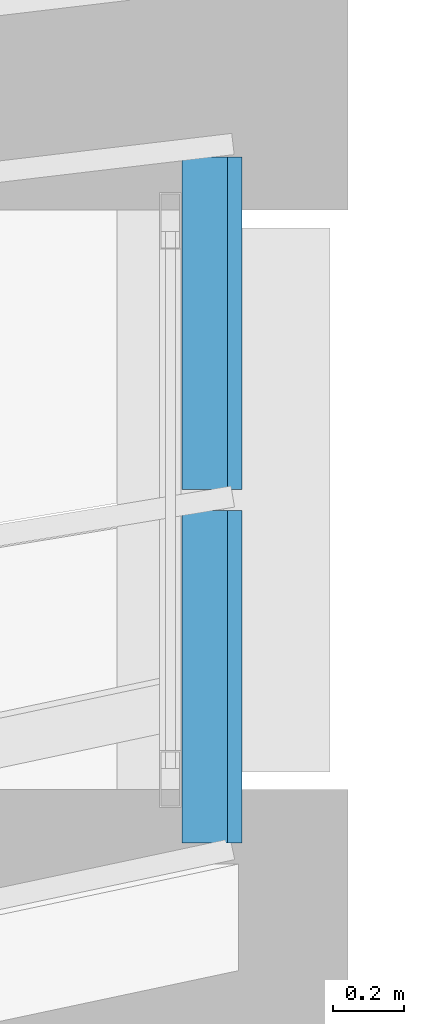
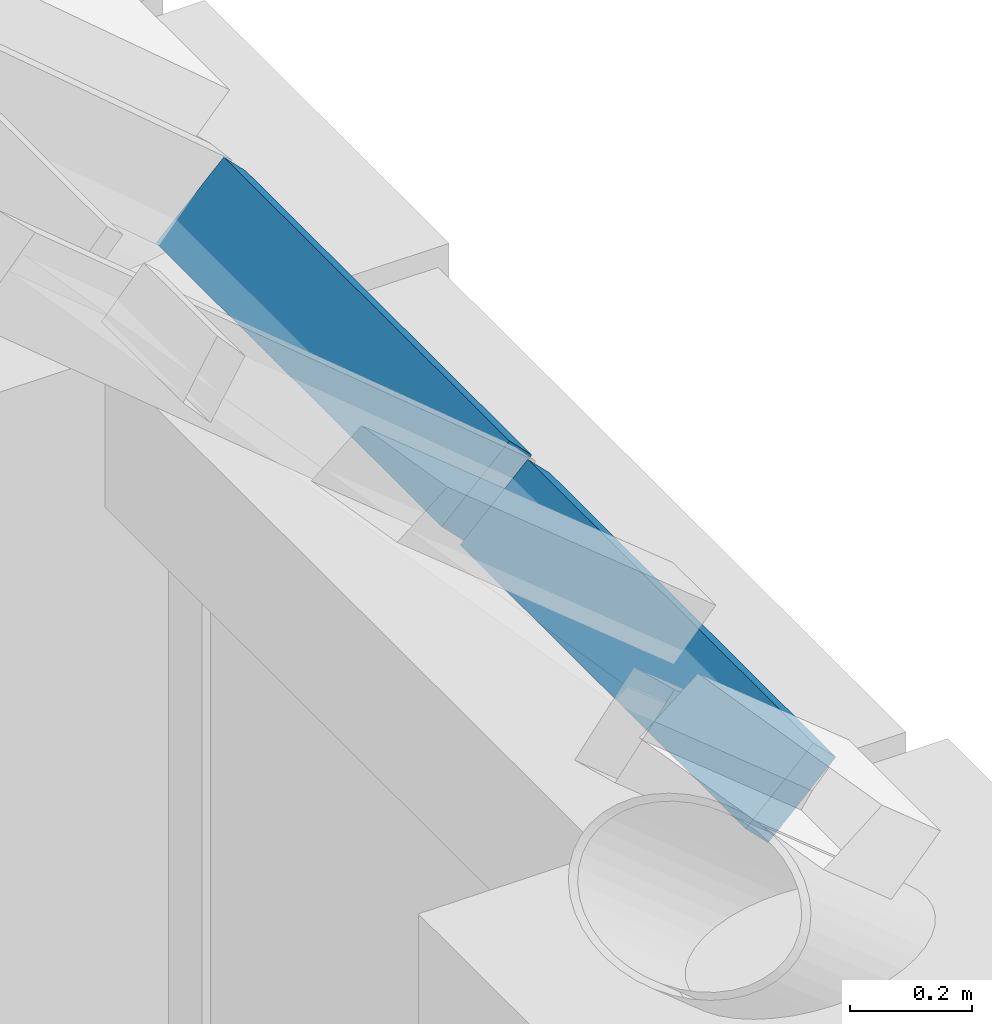
# One storey, part 94 of 182: 2 members, 1 element without a shape of its own.
"""IFC4 building model written with IfcOpenShell, lengths in metres."""

from ifc_helpers import new_model, si_unit, direction, frame, origin, origin_2d, place, context, subcontext, project, spatial, rectangle, extrude, material, material_profile, profile_set, type_object, element, aggregate, save


model = new_model("IFC4")

# Units and contexts
model_context = context("Model", 3, precision=1e-05, world=origin(), true_north=direction((0.0, 1.0)))
body_context = subcontext(model_context, "Body", "Model", "MODEL_VIEW")
ifc_project = project(units=[si_unit("LENGTHUNIT", "METRE"), si_unit("AREAUNIT", "SQUARE_METRE"), si_unit("VOLUMEUNIT", "CUBIC_METRE"), si_unit("PLANEANGLEUNIT", "RADIAN"), si_unit("MASSUNIT", "GRAM", prefix="KILO")], contexts=[model_context])

# Site, building, storey
site_placement = place(None, origin())
site = spatial("IfcSite", under=ifc_project, at=site_placement, CompositionType="ELEMENT")
building_placement = place(site_placement, origin())
building = spatial("IfcBuilding", under=site, at=building_placement, Name="Okhra Congress Centre", CompositionType="ELEMENT")
storey_placement = place(building_placement, frame((0.0, 0.0, 7.199951171875)))
storey = spatial("IfcBuildingStorey", under=building, at=storey_placement, Name="L01", CompositionType="ELEMENT", Elevation=7.199951171875)

# Curtain wall, members
ifc_material_1 = material(Name="Aluminium frame with triple glazing", Category="aluminium")
curtain_wall_type = type_object("IfcCurtainWallType", Name="Glazed vault bay curtain wall", PredefinedType="NOTDEFINED", material=ifc_material_1)
curtain_wall_placement = place(storey_placement, origin())
curtain_wall = element("IfcCurtainWall", 1, at=curtain_wall_placement, inside=storey, type_object=curtain_wall_type, Name="Vault glazing bay 1", PredefinedType="NOTDEFINED")
ifc_material_2 = material(Name="Aluminium alloy 6063", Category="aluminium")
ifc_material_profile = material_profile(ifc_material_2, rectangle(XDim=0.06005859375, YDim=0.179931640625, at=origin_2d()), Name="AL 60x180 transom")
ifc_profile_set = profile_set([ifc_material_profile], Name="Aluminium alloy 6063")
member_type = type_object("IfcMemberType", Name="Aluminium transom 60x180", PredefinedType="USERDEFINED", material=ifc_profile_set)
member_1_placement = place(storey_placement, frame((189.117431640625, 81.61962890625, 1.916015625), z_axis=(0.0, 1.0, 0.0), x_axis=(-0.702636070549, 0.0, 0.711549402616)))
member_1 = element("IfcMember", 2, at=member_1_placement, type_object=member_type, Name="Vault transom 1.1.13", ObjectType="TRANSOM", PredefinedType="USERDEFINED", context=body_context, shape_type="SweptSolid", body=[
    extrude(rectangle(XDim=0.06005859375, YDim=0.179931640625, at=origin_2d()), origin(), (0.0, 0.0, 1.0), 0.934814453125),
])
member_2_placement = place(storey_placement, frame((189.117431640625, 82.614501953125, 1.916015625), z_axis=(0.0, 1.0, 0.0), x_axis=(-0.702636070549, 0.0, 0.711549402616)))
member_2 = element("IfcMember", 3, at=member_2_placement, type_object=member_type, Name="Vault transom 1.2.13", ObjectType="TRANSOM", PredefinedType="USERDEFINED", context=body_context, shape_type="SweptSolid", body=[
    extrude(rectangle(XDim=0.06005859375, YDim=0.179931640625, at=origin_2d()), origin(), (0.0, 0.0, 1.0), 0.934814453125),
])
aggregate(curtain_wall, [member_1, member_2])

save(model, "model.ifc")
